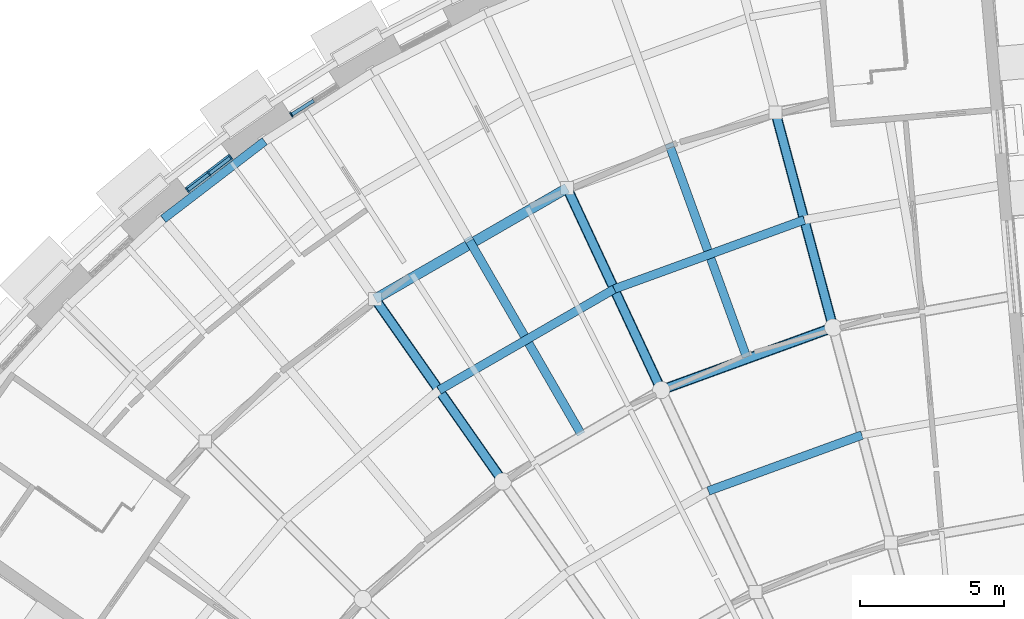
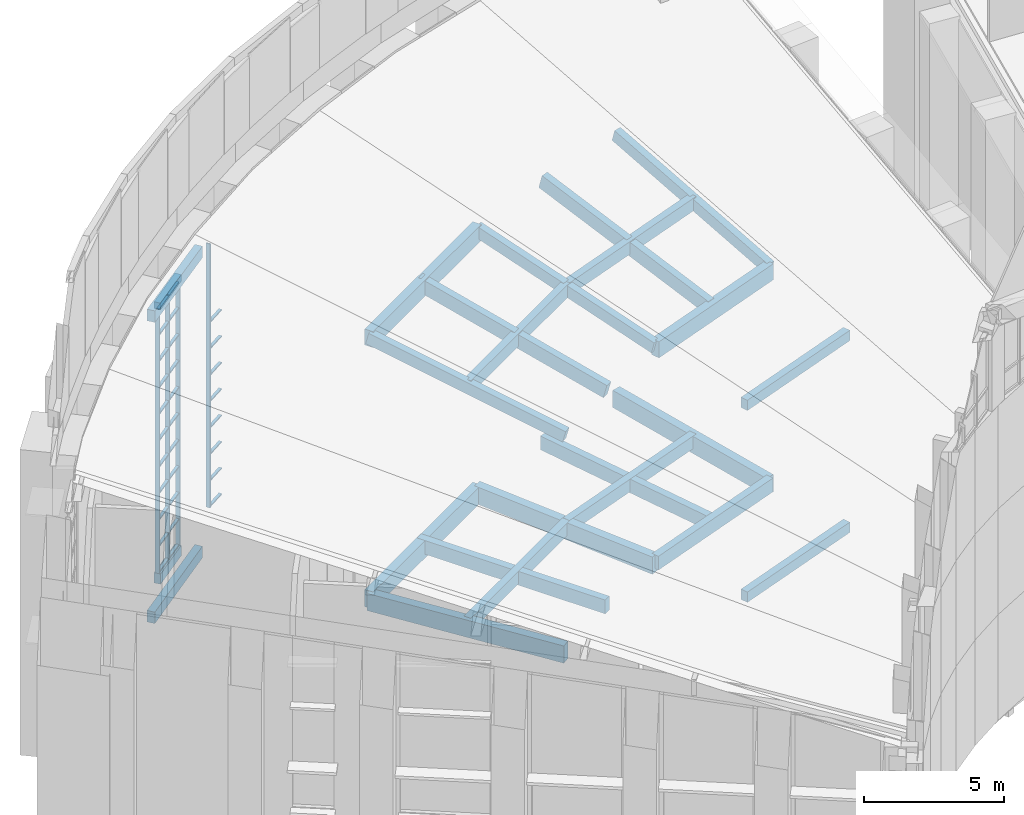
# One storey, part 24 of 82: 34 members, 24 beams, 2 elements without a shape of their own.
"""IFC4 building model written with IfcOpenShell, lengths in metres."""

from ifc_helpers import new_model, si_unit, direction, frame, origin, origin_2d, place, context, subcontext, project, spatial, rectangle, extrude, material, layer, layer_set, material_profile, profile_set, type_object, element, aggregate, save


model = new_model("IFC4")

# Units and contexts
model_context = context("Model", 3, precision=1e-05, world=origin(), true_north=direction((0.0, 1.0)))
body_context = subcontext(model_context, "Body", "Model", "MODEL_VIEW")
ifc_project = project(units=[si_unit("LENGTHUNIT", "METRE"), si_unit("AREAUNIT", "SQUARE_METRE"), si_unit("VOLUMEUNIT", "CUBIC_METRE"), si_unit("PLANEANGLEUNIT", "RADIAN"), si_unit("MASSUNIT", "GRAM", prefix="KILO")], contexts=[model_context])

# Site, building, storey
site_placement = place(None, origin())
site = spatial("IfcSite", under=ifc_project, at=site_placement, CompositionType="ELEMENT")
building_placement = place(site_placement, origin())
building = spatial("IfcBuilding", under=site, at=building_placement, Name="Volute Hill Aquarium", CompositionType="ELEMENT")
storey_placement = place(building_placement, frame((0.0, 0.0, 13.800048828125)))
storey = spatial("IfcBuildingStorey", under=building, at=storey_placement, Name="L04", CompositionType="ELEMENT", Elevation=13.800048828125)

# Beams
ifc_material_1 = material(Name="Concrete C35/45", Category="concrete")
ifc_material_profile_1 = material_profile(ifc_material_1, rectangle(XDim=0.300048828125, YDim=0.60009765625, at=origin_2d()), Name="RC beam 300x600")
ifc_profile_set_1 = profile_set([ifc_material_profile_1], Name="Concrete C35/45")
beam_type_1 = type_object("IfcBeamType", Name="Beam 300x600 C35/45", PredefinedType="BEAM", material=ifc_profile_set_1)
beam_1_placement = place(storey_placement, frame((-9.447021484375, 35.25634765625, -0.6201171875), z_axis=(-0.939679092098, -0.342057310804, 0.0), x_axis=(0.342057310804, -0.939679092098, 0.0)))
element("IfcBeam", 1, at=beam_1_placement, inside=storey, type_object=beam_type_1, Name="bm/S6/L04/ring2.23", PredefinedType="BEAM", context=body_context, shape_type="SweptSolid", body=[
    extrude(rectangle(XDim=0.300048828125, YDim=0.60009765625, at=origin_2d()), origin(), (0.0, 0.0, 1.0), 6.3623046875),
])
ifc_material_2 = material(Name="Concrete C35/45", Category="concrete")
ifc_material_profile_2 = material_profile(ifc_material_2, rectangle(XDim=0.35009765625, YDim=0.699951171875, at=origin_2d()), Name="RC beam 350x700")
ifc_profile_set_2 = profile_set([ifc_material_profile_2], Name="Concrete C35/45")
beam_type_2 = type_object("IfcBeamType", Name="Beam 350x700 C35/45", PredefinedType="BEAM", material=ifc_profile_set_2)
beam_2_placement = place(storey_placement, frame((-9.447021484375, 35.25634765625, 8.676513671875), z_axis=(-0.939679092098, -0.342057310804, 0.0), x_axis=(0.342057310804, -0.939679092098, 0.0)))
element("IfcBeam", 2, at=beam_2_placement, inside=storey, type_object=beam_type_2, Name="rb/S6/L04/ring2.23", PredefinedType="BEAM", context=body_context, shape_type="SweptSolid", body=[
    extrude(rectangle(XDim=0.35009765625, YDim=0.699951171875, at=origin_2d()), origin(), (0.0, 0.0, 1.0), 6.3623046875),
])
beam_3_placement = place(storey_placement, frame((-18.700927734375, 40.10400390625, 10.6689453125), z_axis=(-0.866037474467, -0.499979092382, 0.0), x_axis=(0.499979092382, -0.866037474467, 0.0)))
element("IfcBeam", 3, at=beam_3_placement, inside=storey, type_object=beam_type_2, Name="rb/S6/L04/ring3.29", PredefinedType="BEAM", context=body_context, shape_type="SweptSolid", body=[
    extrude(rectangle(XDim=0.35009765625, YDim=0.699951171875, at=origin_2d()), origin(), (0.0, 0.0, 1.0), 7.713134765625),
])
ifc_material_3 = material(Name="Concrete C35/45", Category="concrete")
ifc_material_profile_3 = material_profile(ifc_material_3, rectangle(XDim=0.35009765625, YDim=0.75, at=origin_2d()), Name="RC beam 350x750")
ifc_profile_set_3 = profile_set([ifc_material_profile_3], Name="Concrete C35/45")
beam_type_3 = type_object("IfcBeamType", Name="Beam 350x750 C35/45", PredefinedType="BEAM", material=ifc_profile_set_3)
beam_4_placement = place(storey_placement, frame((-9.447021484375, 35.25634765625, -0.695068359375), z_axis=(-0.258793822337, 0.965932584356, 0.0), x_axis=(-0.965932584356, -0.258793822337, 0.0)))
element("IfcBeam", 4, at=beam_4_placement, inside=storey, type_object=beam_type_3, Name="bm/S6/L04/rad1.3", PredefinedType="BEAM", context=body_context, shape_type="SweptSolid", body=[
    extrude(rectangle(XDim=0.35009765625, YDim=0.75, at=origin_2d()), origin(), (0.0, 0.0, 1.0), 7.749755859375),
])
beam_5_placement = place(storey_placement, frame((-15.425537109375, 33.080078125, -0.695068359375), z_axis=(-0.422626766283, 0.906303821255, 0.0), x_axis=(-0.906303821255, -0.422626766283, 0.0)))
element("IfcBeam", 5, at=beam_5_placement, inside=storey, type_object=beam_type_3, Name="bm/S6/L04/rad2.7", PredefinedType="BEAM", context=body_context, shape_type="SweptSolid", body=[
    extrude(rectangle(XDim=0.35009765625, YDim=0.75, at=origin_2d()), origin(), (0.0, 0.0, 1.0), 7.75),
])
beam_6_placement = place(storey_placement, frame((-20.935546875, 29.89892578125, -0.695068359375), z_axis=(-0.573572275972, 0.819154957402, 0.0), x_axis=(-0.819154957402, -0.573572275972, 0.0)))
element("IfcBeam", 6, at=beam_6_placement, inside=storey, type_object=beam_type_3, Name="bm/S6/L04/rad3.11", PredefinedType="BEAM", context=body_context, shape_type="SweptSolid", body=[
    extrude(rectangle(XDim=0.35009765625, YDim=0.75, at=origin_2d()), origin(), (0.0, 0.0, 1.0), 7.750244140625),
])
beam_7_placement = place(storey_placement, frame((-18.700927734375, 40.10400390625, -0.695068359375), z_axis=(-0.866037474467, -0.499979092382, 0.0), x_axis=(0.499979092382, -0.866037474467, 0.0)))
element("IfcBeam", 7, at=beam_7_placement, inside=storey, type_object=beam_type_3, Name="bm/S6/L04/ring3.29", PredefinedType="BEAM", context=body_context, shape_type="SweptSolid", body=[
    extrude(rectangle(XDim=0.35009765625, YDim=0.75, at=origin_2d()), origin(), (0.0, 0.0, 1.0), 7.713134765625),
])

# Curtain wall, member
ifc_material_4 = material(Name="Aluminium", Category="aluminium")
ifc_layer = layer(ifc_material_4, 0.25)
ifc_layer_set = layer_set([ifc_layer], Name="Curtain wall niche S6 module 967")
curtain_wall_type = type_object("IfcCurtainWallType", Name="Curtain wall niche S6 module 967", PredefinedType="NOTDEFINED", material=ifc_layer_set)
curtain_wall_1_placement = place(storey_placement, origin())
curtain_wall_1 = element("IfcCurtainWall", 8, at=curtain_wall_1_placement, inside=storey, type_object=curtain_wall_type, Name="Curtain wall CW S6 L04 6", PredefinedType="NOTDEFINED")
ifc_material_5 = material(Name="Aluminium", Category="aluminium")
ifc_material_profile_4 = material_profile(ifc_material_5, rectangle(XDim=0.169921875, YDim=0.050048828125, at=origin_2d()), Name="Curtain wall mullion S6 50x170")
ifc_profile_set_4 = profile_set([ifc_material_profile_4], Name="Aluminium")
member_type_1 = type_object("IfcMemberType", Name="Curtain wall mullion S6 50x170", PredefinedType="MULLION", material=ifc_profile_set_4)
member_1_placement = place(storey_placement, frame((-28.291259765625, 42.6552734375, 0.449951171875), z_axis=(0.0, 0.0, 1.0), x_axis=(0.537294689973, -0.843394579142, 0.0)))
member_1 = element("IfcMember", 9, at=member_1_placement, type_object=member_type_1, Name="CW mullion 3", PredefinedType="MULLION", context=body_context, shape_type="SweptSolid", body=[
    extrude(rectangle(XDim=0.169921875, YDim=0.050048828125, at=origin_2d()), origin(), (0.0, 0.0, 1.0), 11.491455078125),
])

# Curtain wall, members
curtain_wall_2_placement = place(storey_placement, origin())
curtain_wall_2 = element("IfcCurtainWall", 10, at=curtain_wall_2_placement, inside=storey, type_object=curtain_wall_type, Name="Curtain wall CW S6 L04 7", PredefinedType="NOTDEFINED")
member_2_placement = place(storey_placement, frame((-30.40673828125, 41.174072265625, 0.449951171875), z_axis=(0.0, 0.0, 1.0), x_axis=(0.608768681127, -0.793347775493, 0.0)))
member_2 = element("IfcMember", 11, at=member_2_placement, type_object=member_type_1, Name="CW mullion 1", PredefinedType="MULLION", context=body_context, shape_type="SweptSolid", body=[
    extrude(rectangle(XDim=0.169921875, YDim=0.050048828125, at=origin_2d()), origin(), (0.0, 0.0, 1.0), 11.491455078125),
])
member_3_placement = place(storey_placement, frame((-31.154052734375, 40.6005859375, 0.449951171875), z_axis=(0.0, 0.0, 1.0), x_axis=(0.608768681127, -0.793347775493, 0.0)))
member_3 = element("IfcMember", 12, at=member_3_placement, type_object=member_type_1, Name="CW mullion 2", PredefinedType="MULLION", context=body_context, shape_type="SweptSolid", body=[
    extrude(rectangle(XDim=0.169921875, YDim=0.050048828125, at=origin_2d()), origin(), (0.0, 0.0, 1.0), 11.491455078125),
])
member_4_placement = place(storey_placement, frame((-31.9013671875, 40.027099609375, 0.449951171875), z_axis=(0.0, 0.0, 1.0), x_axis=(0.608768681127, -0.793347775493, 0.0)))
member_4 = element("IfcMember", 13, at=member_4_placement, type_object=member_type_1, Name="CW mullion 3", PredefinedType="MULLION", context=body_context, shape_type="SweptSolid", body=[
    extrude(rectangle(XDim=0.169921875, YDim=0.050048828125, at=origin_2d()), origin(), (0.0, 0.0, 1.0), 11.491455078125),
])

# Member
ifc_material_6 = material(Name="Aluminium", Category="aluminium")
ifc_material_profile_5 = material_profile(ifc_material_6, rectangle(XDim=0.1201171875, YDim=0.050048828125, at=origin_2d()), Name="Curtain wall transom S6 50x120")
ifc_profile_set_5 = profile_set([ifc_material_profile_5], Name="Aluminium")
member_type_2 = type_object("IfcMemberType", Name="Curtain wall transom S6 50x120", PredefinedType="USERDEFINED", material=ifc_profile_set_5)
member_5_placement = place(storey_placement, frame((-27.517822265625, 43.14794921875, 0.474853515625), z_axis=(-0.843368307782, -0.537335926055, 0.0), x_axis=(0.537335926055, -0.843368307782, 0.0)))
member_5 = element("IfcMember", 14, at=member_5_placement, type_object=member_type_2, Name="CW transom 2.1", ObjectType="TRANSOM", PredefinedType="USERDEFINED", context=body_context, shape_type="SweptSolid", body=[
    extrude(rectangle(XDim=0.1201171875, YDim=0.050048828125, at=origin_2d()), origin(), (0.0, 0.0, 1.0), 0.891845703125),
])

member_6_placement = place(storey_placement, frame((-27.517822265625, 43.14794921875, 1.59912109375), z_axis=(-0.843368307782, -0.537335926055, 0.0), x_axis=(0.537335926055, -0.843368307782, 0.0)))
member_6 = element("IfcMember", 15, at=member_6_placement, type_object=member_type_2, Name="CW transom 2.2", ObjectType="TRANSOM", PredefinedType="USERDEFINED", context=body_context, shape_type="SweptSolid", body=[
    extrude(rectangle(XDim=0.1201171875, YDim=0.050048828125, at=origin_2d()), origin(), (0.0, 0.0, 1.0), 0.891845703125),
])

member_7_placement = place(storey_placement, frame((-27.517822265625, 43.14794921875, 2.748291015625), z_axis=(-0.843368307782, -0.537335926055, 0.0), x_axis=(0.537335926055, -0.843368307782, 0.0)))
member_7 = element("IfcMember", 16, at=member_7_placement, type_object=member_type_2, Name="CW transom 2.3", ObjectType="TRANSOM", PredefinedType="USERDEFINED", context=body_context, shape_type="SweptSolid", body=[
    extrude(rectangle(XDim=0.1201171875, YDim=0.050048828125, at=origin_2d()), origin(), (0.0, 0.0, 1.0), 0.891845703125),
])

member_8_placement = place(storey_placement, frame((-27.517822265625, 43.14794921875, 3.8974609375), z_axis=(-0.843368307782, -0.537335926055, 0.0), x_axis=(0.537335926055, -0.843368307782, 0.0)))
member_8 = element("IfcMember", 17, at=member_8_placement, type_object=member_type_2, Name="CW transom 2.4", ObjectType="TRANSOM", PredefinedType="USERDEFINED", context=body_context, shape_type="SweptSolid", body=[
    extrude(rectangle(XDim=0.1201171875, YDim=0.050048828125, at=origin_2d()), origin(), (0.0, 0.0, 1.0), 0.891845703125),
])

member_9_placement = place(storey_placement, frame((-27.517822265625, 43.14794921875, 5.046630859375), z_axis=(-0.843368307782, -0.537335926055, 0.0), x_axis=(0.537335926055, -0.843368307782, 0.0)))
member_9 = element("IfcMember", 18, at=member_9_placement, type_object=member_type_2, Name="CW transom 2.5", ObjectType="TRANSOM", PredefinedType="USERDEFINED", context=body_context, shape_type="SweptSolid", body=[
    extrude(rectangle(XDim=0.1201171875, YDim=0.050048828125, at=origin_2d()), origin(), (0.0, 0.0, 1.0), 0.891845703125),
])

member_10_placement = place(storey_placement, frame((-27.517822265625, 43.14794921875, 6.195556640625), z_axis=(-0.843368307782, -0.537335926055, 0.0), x_axis=(0.537335926055, -0.843368307782, 0.0)))
member_10 = element("IfcMember", 19, at=member_10_placement, type_object=member_type_2, Name="CW transom 2.6", ObjectType="TRANSOM", PredefinedType="USERDEFINED", context=body_context, shape_type="SweptSolid", body=[
    extrude(rectangle(XDim=0.1201171875, YDim=0.050048828125, at=origin_2d()), origin(), (0.0, 0.0, 1.0), 0.891845703125),
])

member_11_placement = place(storey_placement, frame((-27.517822265625, 43.14794921875, 7.3447265625), z_axis=(-0.843368307782, -0.537335926055, 0.0), x_axis=(0.537335926055, -0.843368307782, 0.0)))
member_11 = element("IfcMember", 20, at=member_11_placement, type_object=member_type_2, Name="CW transom 2.7", ObjectType="TRANSOM", PredefinedType="USERDEFINED", context=body_context, shape_type="SweptSolid", body=[
    extrude(rectangle(XDim=0.1201171875, YDim=0.050048828125, at=origin_2d()), origin(), (0.0, 0.0, 1.0), 0.891845703125),
])

member_12_placement = place(storey_placement, frame((-27.517822265625, 43.14794921875, 8.493896484375), z_axis=(-0.843368307782, -0.537335926055, 0.0), x_axis=(0.537335926055, -0.843368307782, 0.0)))
member_12 = element("IfcMember", 21, at=member_12_placement, type_object=member_type_2, Name="CW transom 2.8", ObjectType="TRANSOM", PredefinedType="USERDEFINED", context=body_context, shape_type="SweptSolid", body=[
    extrude(rectangle(XDim=0.1201171875, YDim=0.050048828125, at=origin_2d()), origin(), (0.0, 0.0, 1.0), 0.891845703125),
])

aggregate(curtain_wall_1, [member_1, member_5, member_6, member_7, member_8, member_9, member_10, member_11, member_12])

member_13_placement = place(storey_placement, frame((-30.426513671875, 41.15869140625, 0.474853515625), z_axis=(-0.793416906556, -0.608678578883, 0.0), x_axis=(0.608678578883, -0.793416906556, 0.0)))
member_13 = element("IfcMember", 22, at=member_13_placement, type_object=member_type_2, Name="CW transom 1.1", ObjectType="TRANSOM", PredefinedType="USERDEFINED", context=body_context, shape_type="SweptSolid", body=[
    extrude(rectangle(XDim=0.1201171875, YDim=0.050048828125, at=origin_2d()), origin(), (0.0, 0.0, 1.0), 0.89208984375),
])

member_14_placement = place(storey_placement, frame((-30.426513671875, 41.15869140625, 1.59912109375), z_axis=(-0.793416906556, -0.608678578883, 0.0), x_axis=(0.608678578883, -0.793416906556, 0.0)))
member_14 = element("IfcMember", 23, at=member_14_placement, type_object=member_type_2, Name="CW transom 1.2", ObjectType="TRANSOM", PredefinedType="USERDEFINED", context=body_context, shape_type="SweptSolid", body=[
    extrude(rectangle(XDim=0.1201171875, YDim=0.050048828125, at=origin_2d()), origin(), (0.0, 0.0, 1.0), 0.89208984375),
])

member_15_placement = place(storey_placement, frame((-30.426513671875, 41.15869140625, 2.748291015625), z_axis=(-0.793416906556, -0.608678578883, 0.0), x_axis=(0.608678578883, -0.793416906556, 0.0)))
member_15 = element("IfcMember", 24, at=member_15_placement, type_object=member_type_2, Name="CW transom 1.3", ObjectType="TRANSOM", PredefinedType="USERDEFINED", context=body_context, shape_type="SweptSolid", body=[
    extrude(rectangle(XDim=0.1201171875, YDim=0.050048828125, at=origin_2d()), origin(), (0.0, 0.0, 1.0), 0.89208984375),
])

member_16_placement = place(storey_placement, frame((-30.426513671875, 41.15869140625, 3.8974609375), z_axis=(-0.793416906556, -0.608678578883, 0.0), x_axis=(0.608678578883, -0.793416906556, 0.0)))
member_16 = element("IfcMember", 25, at=member_16_placement, type_object=member_type_2, Name="CW transom 1.4", ObjectType="TRANSOM", PredefinedType="USERDEFINED", context=body_context, shape_type="SweptSolid", body=[
    extrude(rectangle(XDim=0.1201171875, YDim=0.050048828125, at=origin_2d()), origin(), (0.0, 0.0, 1.0), 0.89208984375),
])

member_17_placement = place(storey_placement, frame((-30.426513671875, 41.15869140625, 5.046630859375), z_axis=(-0.793416906556, -0.608678578883, 0.0), x_axis=(0.608678578883, -0.793416906556, 0.0)))
member_17 = element("IfcMember", 26, at=member_17_placement, type_object=member_type_2, Name="CW transom 1.5", ObjectType="TRANSOM", PredefinedType="USERDEFINED", context=body_context, shape_type="SweptSolid", body=[
    extrude(rectangle(XDim=0.1201171875, YDim=0.050048828125, at=origin_2d()), origin(), (0.0, 0.0, 1.0), 0.89208984375),
])

member_18_placement = place(storey_placement, frame((-30.426513671875, 41.15869140625, 6.195556640625), z_axis=(-0.793416906556, -0.608678578883, 0.0), x_axis=(0.608678578883, -0.793416906556, 0.0)))
member_18 = element("IfcMember", 27, at=member_18_placement, type_object=member_type_2, Name="CW transom 1.6", ObjectType="TRANSOM", PredefinedType="USERDEFINED", context=body_context, shape_type="SweptSolid", body=[
    extrude(rectangle(XDim=0.1201171875, YDim=0.050048828125, at=origin_2d()), origin(), (0.0, 0.0, 1.0), 0.89208984375),
])

member_19_placement = place(storey_placement, frame((-30.426513671875, 41.15869140625, 7.3447265625), z_axis=(-0.793416906556, -0.608678578883, 0.0), x_axis=(0.608678578883, -0.793416906556, 0.0)))
member_19 = element("IfcMember", 28, at=member_19_placement, type_object=member_type_2, Name="CW transom 1.7", ObjectType="TRANSOM", PredefinedType="USERDEFINED", context=body_context, shape_type="SweptSolid", body=[
    extrude(rectangle(XDim=0.1201171875, YDim=0.050048828125, at=origin_2d()), origin(), (0.0, 0.0, 1.0), 0.89208984375),
])

member_20_placement = place(storey_placement, frame((-30.426513671875, 41.15869140625, 8.493896484375), z_axis=(-0.793416906556, -0.608678578883, 0.0), x_axis=(0.608678578883, -0.793416906556, 0.0)))
member_20 = element("IfcMember", 29, at=member_20_placement, type_object=member_type_2, Name="CW transom 1.8", ObjectType="TRANSOM", PredefinedType="USERDEFINED", context=body_context, shape_type="SweptSolid", body=[
    extrude(rectangle(XDim=0.1201171875, YDim=0.050048828125, at=origin_2d()), origin(), (0.0, 0.0, 1.0), 0.89208984375),
])

member_21_placement = place(storey_placement, frame((-30.426513671875, 41.15869140625, 9.64306640625), z_axis=(-0.793416906556, -0.608678578883, 0.0), x_axis=(0.608678578883, -0.793416906556, 0.0)))
member_21 = element("IfcMember", 30, at=member_21_placement, type_object=member_type_2, Name="CW transom 1.9", ObjectType="TRANSOM", PredefinedType="USERDEFINED", context=body_context, shape_type="SweptSolid", body=[
    extrude(rectangle(XDim=0.1201171875, YDim=0.050048828125, at=origin_2d()), origin(), (0.0, 0.0, 1.0), 0.89208984375),
])

member_22_placement = place(storey_placement, frame((-30.426513671875, 41.15869140625, 10.792236328125), z_axis=(-0.793416906556, -0.608678578883, 0.0), x_axis=(0.608678578883, -0.793416906556, 0.0)))
member_22 = element("IfcMember", 31, at=member_22_placement, type_object=member_type_2, Name="CW transom 1.10", ObjectType="TRANSOM", PredefinedType="USERDEFINED", context=body_context, shape_type="SweptSolid", body=[
    extrude(rectangle(XDim=0.1201171875, YDim=0.050048828125, at=origin_2d()), origin(), (0.0, 0.0, 1.0), 0.89208984375),
])

member_23_placement = place(storey_placement, frame((-30.426513671875, 41.15869140625, 11.916259765625), z_axis=(-0.793416906556, -0.608678578883, 0.0), x_axis=(0.608678578883, -0.793416906556, 0.0)))
member_23 = element("IfcMember", 32, at=member_23_placement, type_object=member_type_2, Name="CW transom 1.11", ObjectType="TRANSOM", PredefinedType="USERDEFINED", context=body_context, shape_type="SweptSolid", body=[
    extrude(rectangle(XDim=0.1201171875, YDim=0.050048828125, at=origin_2d()), origin(), (0.0, 0.0, 1.0), 0.89208984375),
])

member_24_placement = place(storey_placement, frame((-31.173828125, 40.58544921875, 0.474853515625), z_axis=(-0.793315475548, -0.608810772125, 0.0), x_axis=(0.608810772125, -0.793315475548, 0.0)))
member_24 = element("IfcMember", 33, at=member_24_placement, type_object=member_type_2, Name="CW transom 2.1", ObjectType="TRANSOM", PredefinedType="USERDEFINED", context=body_context, shape_type="SweptSolid", body=[
    extrude(rectangle(XDim=0.1201171875, YDim=0.050048828125, at=origin_2d()), origin(), (0.0, 0.0, 1.0), 0.891845703125),
])

member_25_placement = place(storey_placement, frame((-31.173828125, 40.58544921875, 1.59912109375), z_axis=(-0.793315475548, -0.608810772125, 0.0), x_axis=(0.608810772125, -0.793315475548, 0.0)))
member_25 = element("IfcMember", 34, at=member_25_placement, type_object=member_type_2, Name="CW transom 2.2", ObjectType="TRANSOM", PredefinedType="USERDEFINED", context=body_context, shape_type="SweptSolid", body=[
    extrude(rectangle(XDim=0.1201171875, YDim=0.050048828125, at=origin_2d()), origin(), (0.0, 0.0, 1.0), 0.891845703125),
])

member_26_placement = place(storey_placement, frame((-31.173828125, 40.58544921875, 2.748291015625), z_axis=(-0.793315475548, -0.608810772125, 0.0), x_axis=(0.608810772125, -0.793315475548, 0.0)))
member_26 = element("IfcMember", 35, at=member_26_placement, type_object=member_type_2, Name="CW transom 2.3", ObjectType="TRANSOM", PredefinedType="USERDEFINED", context=body_context, shape_type="SweptSolid", body=[
    extrude(rectangle(XDim=0.1201171875, YDim=0.050048828125, at=origin_2d()), origin(), (0.0, 0.0, 1.0), 0.891845703125),
])

member_27_placement = place(storey_placement, frame((-31.173828125, 40.58544921875, 3.8974609375), z_axis=(-0.793315475548, -0.608810772125, 0.0), x_axis=(0.608810772125, -0.793315475548, 0.0)))
member_27 = element("IfcMember", 36, at=member_27_placement, type_object=member_type_2, Name="CW transom 2.4", ObjectType="TRANSOM", PredefinedType="USERDEFINED", context=body_context, shape_type="SweptSolid", body=[
    extrude(rectangle(XDim=0.1201171875, YDim=0.050048828125, at=origin_2d()), origin(), (0.0, 0.0, 1.0), 0.891845703125),
])

member_28_placement = place(storey_placement, frame((-31.173828125, 40.58544921875, 5.046630859375), z_axis=(-0.793315475548, -0.608810772125, 0.0), x_axis=(0.608810772125, -0.793315475548, 0.0)))
member_28 = element("IfcMember", 37, at=member_28_placement, type_object=member_type_2, Name="CW transom 2.5", ObjectType="TRANSOM", PredefinedType="USERDEFINED", context=body_context, shape_type="SweptSolid", body=[
    extrude(rectangle(XDim=0.1201171875, YDim=0.050048828125, at=origin_2d()), origin(), (0.0, 0.0, 1.0), 0.891845703125),
])

member_29_placement = place(storey_placement, frame((-31.173828125, 40.58544921875, 6.195556640625), z_axis=(-0.793315475548, -0.608810772125, 0.0), x_axis=(0.608810772125, -0.793315475548, 0.0)))
member_29 = element("IfcMember", 38, at=member_29_placement, type_object=member_type_2, Name="CW transom 2.6", ObjectType="TRANSOM", PredefinedType="USERDEFINED", context=body_context, shape_type="SweptSolid", body=[
    extrude(rectangle(XDim=0.1201171875, YDim=0.050048828125, at=origin_2d()), origin(), (0.0, 0.0, 1.0), 0.891845703125),
])

member_30_placement = place(storey_placement, frame((-31.173828125, 40.58544921875, 7.3447265625), z_axis=(-0.793315475548, -0.608810772125, 0.0), x_axis=(0.608810772125, -0.793315475548, 0.0)))
member_30 = element("IfcMember", 39, at=member_30_placement, type_object=member_type_2, Name="CW transom 2.7", ObjectType="TRANSOM", PredefinedType="USERDEFINED", context=body_context, shape_type="SweptSolid", body=[
    extrude(rectangle(XDim=0.1201171875, YDim=0.050048828125, at=origin_2d()), origin(), (0.0, 0.0, 1.0), 0.891845703125),
])

member_31_placement = place(storey_placement, frame((-31.173828125, 40.58544921875, 8.493896484375), z_axis=(-0.793315475548, -0.608810772125, 0.0), x_axis=(0.608810772125, -0.793315475548, 0.0)))
member_31 = element("IfcMember", 40, at=member_31_placement, type_object=member_type_2, Name="CW transom 2.8", ObjectType="TRANSOM", PredefinedType="USERDEFINED", context=body_context, shape_type="SweptSolid", body=[
    extrude(rectangle(XDim=0.1201171875, YDim=0.050048828125, at=origin_2d()), origin(), (0.0, 0.0, 1.0), 0.891845703125),
])

member_32_placement = place(storey_placement, frame((-31.173828125, 40.58544921875, 9.64306640625), z_axis=(-0.793315475548, -0.608810772125, 0.0), x_axis=(0.608810772125, -0.793315475548, 0.0)))
member_32 = element("IfcMember", 41, at=member_32_placement, type_object=member_type_2, Name="CW transom 2.9", ObjectType="TRANSOM", PredefinedType="USERDEFINED", context=body_context, shape_type="SweptSolid", body=[
    extrude(rectangle(XDim=0.1201171875, YDim=0.050048828125, at=origin_2d()), origin(), (0.0, 0.0, 1.0), 0.891845703125),
])

member_33_placement = place(storey_placement, frame((-31.173828125, 40.58544921875, 10.792236328125), z_axis=(-0.793315475548, -0.608810772125, 0.0), x_axis=(0.608810772125, -0.793315475548, 0.0)))
member_33 = element("IfcMember", 42, at=member_33_placement, type_object=member_type_2, Name="CW transom 2.10", ObjectType="TRANSOM", PredefinedType="USERDEFINED", context=body_context, shape_type="SweptSolid", body=[
    extrude(rectangle(XDim=0.1201171875, YDim=0.050048828125, at=origin_2d()), origin(), (0.0, 0.0, 1.0), 0.891845703125),
])

member_34_placement = place(storey_placement, frame((-31.173828125, 40.58544921875, 11.916259765625), z_axis=(-0.793315475548, -0.608810772125, 0.0), x_axis=(0.608810772125, -0.793315475548, 0.0)))
member_34 = element("IfcMember", 43, at=member_34_placement, type_object=member_type_2, Name="CW transom 2.11", ObjectType="TRANSOM", PredefinedType="USERDEFINED", context=body_context, shape_type="SweptSolid", body=[
    extrude(rectangle(XDim=0.1201171875, YDim=0.050048828125, at=origin_2d()), origin(), (0.0, 0.0, 1.0), 0.891845703125),
])

aggregate(curtain_wall_2, [member_2, member_3, member_4, member_13, member_14, member_15, member_16, member_17, member_18, member_19, member_20, member_21, member_22, member_23, member_24, member_25, member_26, member_27, member_28, member_29, member_30, member_31, member_32, member_33, member_34])

# Beams
ifc_material_7 = material(Name="Concrete C35/45", Category="concrete")
ifc_material_profile_6 = material_profile(ifc_material_7, rectangle(XDim=0.300048828125, YDim=0.5, at=origin_2d()), Name="RC edge beam 300x500")
ifc_profile_set_6 = profile_set([ifc_material_profile_6], Name="Concrete C35/45")
beam_type_4 = type_object("IfcBeamType", Name="Edge beam 300x500 C35/45", PredefinedType="BEAM", material=ifc_profile_set_6)
beam_8_placement = place(storey_placement, frame((-29.2236328125, 41.735595703125, -0.570068359375), z_axis=(-0.793360529579, -0.608752059632, 0.0), x_axis=(0.608752059632, -0.793360529579, 0.0)))
element("IfcBeam", 44, at=beam_8_placement, inside=storey, type_object=beam_type_4, Name="bm/S6/L04/edgeO.48", PredefinedType="BEAM", context=body_context, shape_type="SweptSolid", body=[
    extrude(rectangle(XDim=0.300048828125, YDim=0.5, at=origin_2d()), origin(), (0.0, 0.0, 1.0), 4.44482421875),
])
beam_9_placement = place(storey_placement, frame((-29.2236328125, 41.735595703125, 12.491455078125), z_axis=(-0.793310729933, -0.608713847954, 0.011204333211), x_axis=(0.608752059632, -0.793360529579, 0.0)))
element("IfcBeam", 45, at=beam_9_placement, inside=storey, type_object=beam_type_4, Name="rb/S6/L04/edgeO.48", PredefinedType="BEAM", context=body_context, shape_type="SweptSolid", body=[
    extrude(rectangle(XDim=0.300048828125, YDim=0.5, at=origin_2d()), origin(), (0.0, 0.0, 1.0), 4.445068359375),
])
ifc_material_8 = material(Name="Concrete C35/45", Category="concrete")
ifc_material_profile_7 = material_profile(ifc_material_8, rectangle(XDim=0.300048828125, YDim=0.449951171875, at=origin_2d()), Name="RC joist 300x450")
ifc_profile_set_7 = profile_set([ifc_material_profile_7], Name="Concrete C35/45")
beam_type_5 = type_object("IfcBeamType", Name="Joist 300x450 C35/45", PredefinedType="BEAM", material=ifc_profile_set_7)
for number, where, z_axis, x_axis, name in (
    (46, (-8.444091796875, 31.51318359375, -0.545166015625), (-0.939700630185, -0.341998136881, 0.0), (0.341998136881, -0.939700630185, 0.0), "bm/S6/L04/jst7"),
    (47, (-8.444091796875, 31.51318359375, 7.805419921875), (-0.939700630185, -0.341998136881, 0.0), (0.341998136881, -0.939700630185, 0.0), "rb/S6/L04/jst7"),
):
    element("IfcBeam", number, at=place(storey_placement, frame(where, z_axis=z_axis, x_axis=x_axis)), inside=storey, type_object=beam_type_5, Name=name, PredefinedType="BEAM", context=body_context, shape_type="SweptSolid", body=[
        extrude(rectangle(XDim=0.300048828125, YDim=0.449951171875, at=origin_2d()), origin(), (0.0, 0.0, 1.0), 5.686767578125),
    ])
ifc_material_9 = material(Name="Concrete C35/45", Category="concrete")
ifc_material_profile_8 = material_profile(ifc_material_9, rectangle(XDim=0.300048828125, YDim=0.550048828125, at=origin_2d()), Name="RC joist 300x550")
ifc_profile_set_8 = profile_set([ifc_material_profile_8], Name="Concrete C35/45")
beam_type_6 = type_object("IfcBeamType", Name="Joist 300x550 C35/45", PredefinedType="BEAM", material=ifc_profile_set_8)
for number, where, z_axis, x_axis, name in (
    (48, (-10.44970703125, 38.999267578125, -0.594970703125), (-0.939699194872, -0.342002080632, 0.0), (0.342002080632, -0.939699194872, 0.0), "bm/S6/L04/jst12"),
    (49, (-17.063232421875, 36.59228515625, -0.594970703125), (-0.866018636338, -0.500011721377, 0.0), (0.500011721377, -0.866018636338, 0.0), "bm/S6/L04/jst13"),
    (50, (-10.44970703125, 38.999267578125, 9.747802734375), (-0.939699194872, -0.342002080632, 0.0), (0.342002080632, -0.939699194872, 0.0), "rb/S6/L04/jst12"),
    (51, (-17.063232421875, 36.59228515625, 9.747802734375), (-0.866018636338, -0.500011721377, 0.0), (0.500011721377, -0.866018636338, 0.0), "rb/S6/L04/jst13"),
):
    element("IfcBeam", number, at=place(storey_placement, frame(where, z_axis=z_axis, x_axis=x_axis)), inside=storey, type_object=beam_type_6, Name=name, PredefinedType="BEAM", context=body_context, shape_type="SweptSolid", body=[
        extrude(rectangle(XDim=0.300048828125, YDim=0.550048828125, at=origin_2d()), origin(), (0.0, 0.0, 1.0), 7.037841796875),
    ])
ifc_material_10 = material(Name="Concrete C35/45", Category="concrete")
ifc_material_profile_9 = material_profile(ifc_material_10, rectangle(XDim=0.300048828125, YDim=0.60009765625, at=origin_2d()), Name="RC joist 300x600")
ifc_profile_set_9 = profile_set([ifc_material_profile_9], Name="Concrete C35/45")
beam_type_7 = type_object("IfcBeamType", Name="Joist 300x600 C35/45", PredefinedType="BEAM", material=ifc_profile_set_9)
for number, where, z_axis, x_axis, name in (
    (52, (-12.483642578125, 34.298828125, -0.6201171875), (-0.342051628927, 0.939681160367, 0.0), (-0.939681160367, -0.342051628927, 0.0), "bm/S6/L04/rjst2"),
    (53, (-18.25, 31.60986328125, -0.6201171875), (-0.500001506187, 0.866024534185, 0.0), (-0.866024534185, -0.500001506187, 0.0), "bm/S6/L04/rjst3"),
):
    element("IfcBeam", number, at=place(storey_placement, frame(where, z_axis=z_axis, x_axis=x_axis)), inside=storey, type_object=beam_type_7, Name=name, PredefinedType="BEAM", context=body_context, shape_type="SweptSolid", body=[
        extrude(rectangle(XDim=0.300048828125, YDim=0.60009765625, at=origin_2d()), origin(), (0.0, 0.0, 1.0), 7.75),
    ])
for number, where, z_axis, x_axis, name in (
    (54, (-12.483642578125, 34.298828125, 8.75244140625), (-0.331200670303, 0.909871504373, 0.249879894191), (-0.939681160367, -0.342051628927, 0.0), "rb/S6/L04/rjst2"),
    (55, (-18.25, 31.60986328125, 8.75244140625), (-0.4841400292, 0.838551760504, 0.249878724748), (-0.866024534185, -0.500001506187, 0.0), "rb/S6/L04/rjst3"),
):
    element("IfcBeam", number, at=place(storey_placement, frame(where, z_axis=z_axis, x_axis=x_axis)), inside=storey, type_object=beam_type_7, Name=name, PredefinedType="BEAM", context=body_context, shape_type="SweptSolid", body=[
        extrude(rectangle(XDim=0.300048828125, YDim=0.60009765625, at=origin_2d()), origin(), (0.0, 0.0, 1.0), 8.00390625),
    ])
ifc_material_11 = material(Name="Concrete C35/45", Category="concrete")
ifc_material_profile_10 = material_profile(ifc_material_11, rectangle(XDim=0.25, YDim=0.300048828125, at=origin_2d()), Name="RC beam 250x300")
ifc_profile_set_10 = profile_set([ifc_material_profile_10], Name="Concrete C35/45")
beam_type_8 = type_object("IfcBeamType", Name="Niche head beam RC 250x300 C35/45", PredefinedType="BEAM", material=ifc_profile_set_10)
beam_10_placement = place(storey_placement, frame((-30.386962890625, 41.189208984375, 12.09130859375), z_axis=(-0.793346193695, -0.608770742521, 0.0), x_axis=(0.608770742521, -0.793346193695, 0.0)))
element("IfcBeam", 56, at=beam_10_placement, inside=storey, type_object=beam_type_8, Name="Niche head beam OWB S6 L04 7", PredefinedType="BEAM", context=body_context, shape_type="SweptSolid", body=[
    extrude(rectangle(XDim=0.25, YDim=0.300048828125, at=origin_2d()), origin(), (0.0, 0.0, 1.0), 1.933837890625),
])
ifc_material_12 = material(Name="Concrete C35/45", Category="concrete")
ifc_material_profile_11 = material_profile(ifc_material_12, rectangle(XDim=0.25, YDim=0.449951171875, at=origin_2d()), Name="RC beam 250x450")
ifc_profile_set_11 = profile_set([ifc_material_profile_11], Name="Concrete C35/45")
beam_type_9 = type_object("IfcBeamType", Name="Niche sill beam RC 250x450 C35/45", PredefinedType="BEAM", material=ifc_profile_set_11)
beam_11_placement = place(storey_placement, frame((-30.386962890625, 41.189208984375, 0.224853515625), z_axis=(-0.793346193695, -0.608770742521, 0.0), x_axis=(0.608770742521, -0.793346193695, 0.0)))
element("IfcBeam", 57, at=beam_11_placement, inside=storey, type_object=beam_type_9, Name="Niche sill beam OWB S6 L04 7", PredefinedType="BEAM", context=body_context, shape_type="SweptSolid", body=[
    extrude(rectangle(XDim=0.25, YDim=0.449951171875, at=origin_2d()), origin(), (0.0, 0.0, 1.0), 1.933837890625),
])
ifc_material_13 = material(Name="Concrete C35/45", Category="concrete")
ifc_material_profile_12 = material_profile(ifc_material_13, rectangle(XDim=0.300048828125, YDim=0.5, at=origin_2d()), Name="RC rib 300x500")
ifc_profile_set_12 = profile_set([ifc_material_profile_12], Name="Concrete C35/45")
beam_type_10 = type_object("IfcBeamType", Name="Roof rib 300x500 C35/45", PredefinedType="BEAM", material=ifc_profile_set_12)
beam_12_placement = place(storey_placement, frame((-9.447021484375, 35.25634765625, 8.7685546875), z_axis=(-0.250644924947, 0.935517308425, 0.24896683963), x_axis=(-0.965932584356, -0.258793822337, 0.0)))
element("IfcBeam", 58, at=beam_12_placement, inside=storey, type_object=beam_type_10, Name="rb/S6/L04/rib1.3", PredefinedType="BEAM", context=body_context, shape_type="SweptSolid", body=[
    extrude(rectangle(XDim=0.300048828125, YDim=0.5, at=origin_2d()), origin(), (0.0, 0.0, 1.0), 8.001708984375),
])
beam_13_placement = place(storey_placement, frame((-15.425537109375, 33.080078125, 8.7685546875), z_axis=(-0.409319822421, 0.877767687168, 0.248960178217), x_axis=(-0.906303821255, -0.422626766283, 0.0)))
element("IfcBeam", 59, at=beam_13_placement, inside=storey, type_object=beam_type_10, Name="rb/S6/L04/rib2.7", PredefinedType="BEAM", context=body_context, shape_type="SweptSolid", body=[
    extrude(rectangle(XDim=0.300048828125, YDim=0.5, at=origin_2d()), origin(), (0.0, 0.0, 1.0), 8.001953125),
])
beam_14_placement = place(storey_placement, frame((-20.935546875, 29.89892578125, 8.768310546875), z_axis=(-0.555509037856, 0.793357701033, 0.248984471548), x_axis=(-0.819154957402, -0.573572275972, 0.0)))
element("IfcBeam", 60, at=beam_14_placement, inside=storey, type_object=beam_type_10, Name="rb/S6/L04/rib3.11", PredefinedType="BEAM", context=body_context, shape_type="SweptSolid", body=[
    extrude(rectangle(XDim=0.300048828125, YDim=0.5, at=origin_2d()), origin(), (0.0, 0.0, 1.0), 8.002197265625),
])

save(model, "model.ifc")
